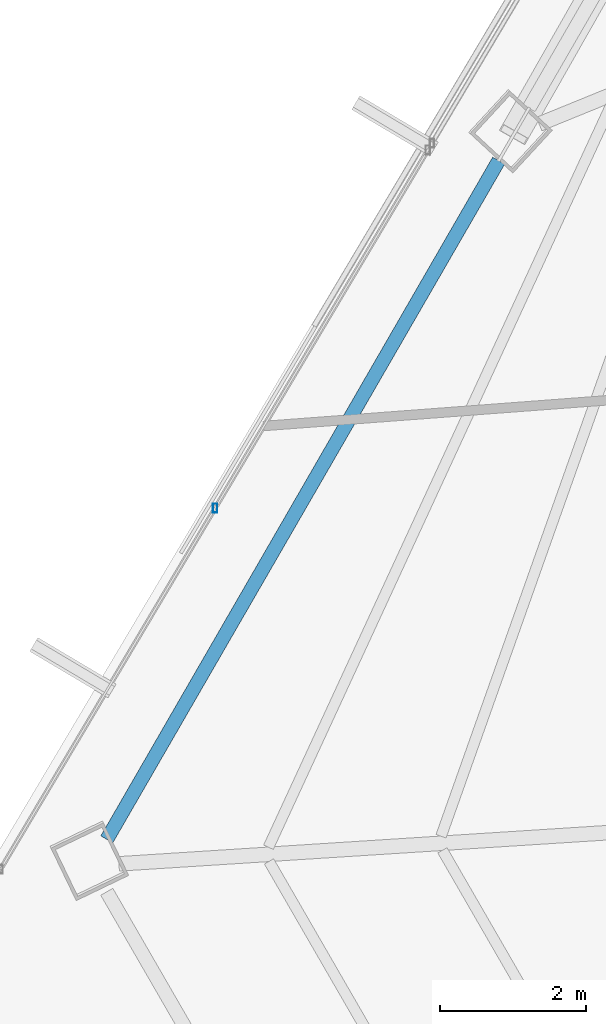
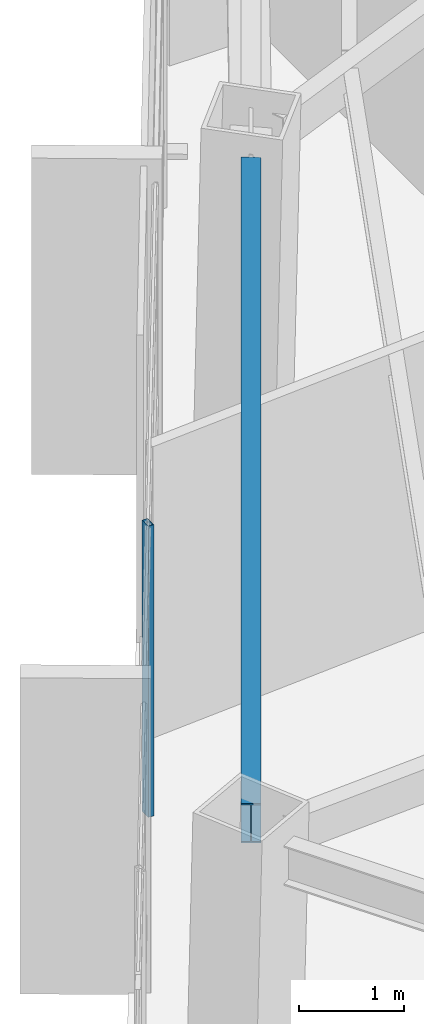
# One storey, part 10 of 47: 1 beam, 1 member, 1 element without a shape of its own.
"""IFC4 building model written with IfcOpenShell, lengths in metres."""

from ifc_helpers import new_model, si_unit, direction, frame, origin, origin_2d, place, context, subcontext, project, spatial, hollow_rectangle, i_section, extrude, source, transform, mapped, material, material_profile, profile_set, type_object, type_shapes, element, aggregate, save


model = new_model("IFC4")

# Units and contexts
model_context = context("Model", 3, precision=1e-05, world=origin(), true_north=direction((0.0, 1.0)))
body_context = subcontext(model_context, "Body", "Model", "MODEL_VIEW")
ifc_project = project(units=[si_unit("LENGTHUNIT", "METRE"), si_unit("AREAUNIT", "SQUARE_METRE"), si_unit("VOLUMEUNIT", "CUBIC_METRE"), si_unit("PLANEANGLEUNIT", "RADIAN"), si_unit("MASSUNIT", "GRAM", prefix="KILO")], contexts=[model_context])

# Site, building, storey
site_placement = place(None, origin())
site = spatial("IfcSite", under=ifc_project, at=site_placement, CompositionType="ELEMENT")
building_placement = place(site_placement, origin())
building = spatial("IfcBuilding", under=site, at=building_placement, Name="Caelisora Broadcast Tower", CompositionType="ELEMENT")
storey_placement = place(building_placement, frame((0.0, 0.0, 229.85009765625)))
storey = spatial("IfcBuildingStorey", under=building, at=storey_placement, Name="L60", CompositionType="ELEMENT", Elevation=229.85009765625)

# Beam
ifc_material_1 = material(Name="Steel Grade 350 (AS/NZS 3679.1)", Category="steel")
ifc_material_profile_1 = material_profile(ifc_material_1, i_section(OverallWidth=0.19091796875, OverallDepth=0.46044921875, WebThickness=0.010009765625, FlangeThickness=0.01611328125, at=origin_2d()), Name="Steel Grade 350 (AS/NZS 3679.1)")
ifc_profile_set_1 = profile_set([ifc_material_profile_1], Name="Steel Grade 350 (AS/NZS 3679.1)")
beam_type = type_object("IfcBeamType", Name="PG06", PredefinedType="BEAM", material=ifc_profile_set_1)
shared_shape_1 = source(origin(), body_context, "Body", "SweptSolid", [
    extrude(i_section(OverallWidth=0.19091796875, OverallDepth=0.46044921875, WebThickness=0.010009765625, FlangeThickness=0.01611328125, at=origin_2d()), origin(), (0.0, 0.0, 1.0), 10.771484375),
])
type_shapes(beam_type, [shared_shape_1])
beam_placement = place(storey_placement, frame((21.79541015625, 26.176025390625, 3.169677734375), z_axis=(-0.500017399385, -0.866015358012, 0.0), x_axis=(0.866015358012, -0.500017399385, 0.0)))
element("IfcBeam", 1, at=beam_placement, inside=storey, type_object=beam_type, Name="L60 beam PG06", PredefinedType="BEAM", context=body_context, shape_type="MappedRepresentation", body=[
    mapped(shared_shape_1, transform((0.0, 0.0, 0.0), scale=1.0)),
])

# Curtain wall, member
ifc_material_2 = material(Name="Unitised Aluminium and Low-E Glass Curtain Wall", Category="glass")
curtain_wall_type = type_object("IfcCurtainWallType", Name="CW-Z5", PredefinedType="NOTDEFINED", material=ifc_material_2)
curtain_wall_placement = place(storey_placement, origin())
curtain_wall = element("IfcCurtainWall", 2, at=curtain_wall_placement, inside=storey, type_object=curtain_wall_type, Name="L60 curtain wall CW-Z5", PredefinedType="NOTDEFINED")
ifc_material_3 = material(Name="Aluminium 6063-T6 Anodised Terracotta Bronze", Category="aluminium")
ifc_material_profile_2 = material_profile(ifc_material_3, hollow_rectangle(XDim=0.06005859375, YDim=0.1201171875, WallThickness=0.0029296875, at=origin_2d()), Name="Aluminium 6063-T6 Anodised Terracotta Bronze")
ifc_profile_set_2 = profile_set([ifc_material_profile_2], Name="Aluminium 6063-T6 Anodised Terracotta Bronze")
member_type = type_object("IfcMemberType", Name="CWM-04", PredefinedType="MULLION", material=ifc_profile_set_2)
shared_shape_2 = source(origin(), body_context, "Body", "SweptSolid", [
    extrude(hollow_rectangle(XDim=0.06005859375, YDim=0.1201171875, WallThickness=0.0029296875, at=origin_2d()), origin(), (0.0, 0.0, 1.0), 3.39990234375),
])
type_shapes(member_type, [shared_shape_2])
member_placement = place(storey_placement, frame((17.8984375, 21.39990234375, 0.0), z_axis=(0.0, 0.0, 1.0), x_axis=(1.0, 0.0, 0.0)))
member = element("IfcMember", 3, at=member_placement, type_object=member_type, Name="L60-CW-B09 mullion #2", PredefinedType="MULLION", context=body_context, shape_type="MappedRepresentation", body=[
    mapped(shared_shape_2, transform((0.0, 0.0, 0.0), scale=1.0)),
])
aggregate(curtain_wall, [member])

save(model, "model.ifc")
